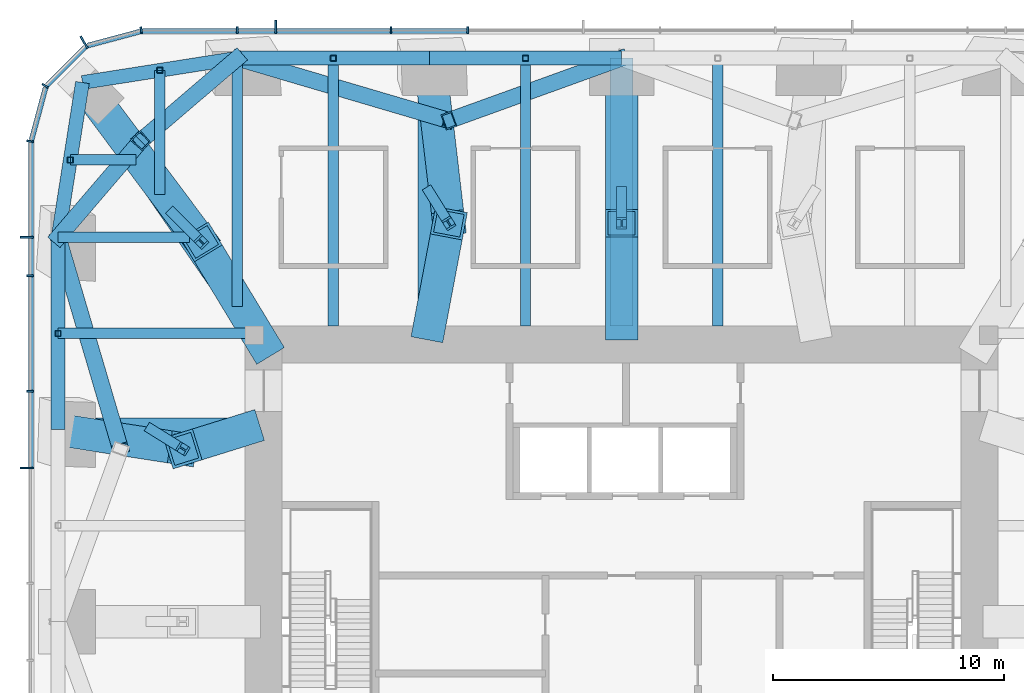
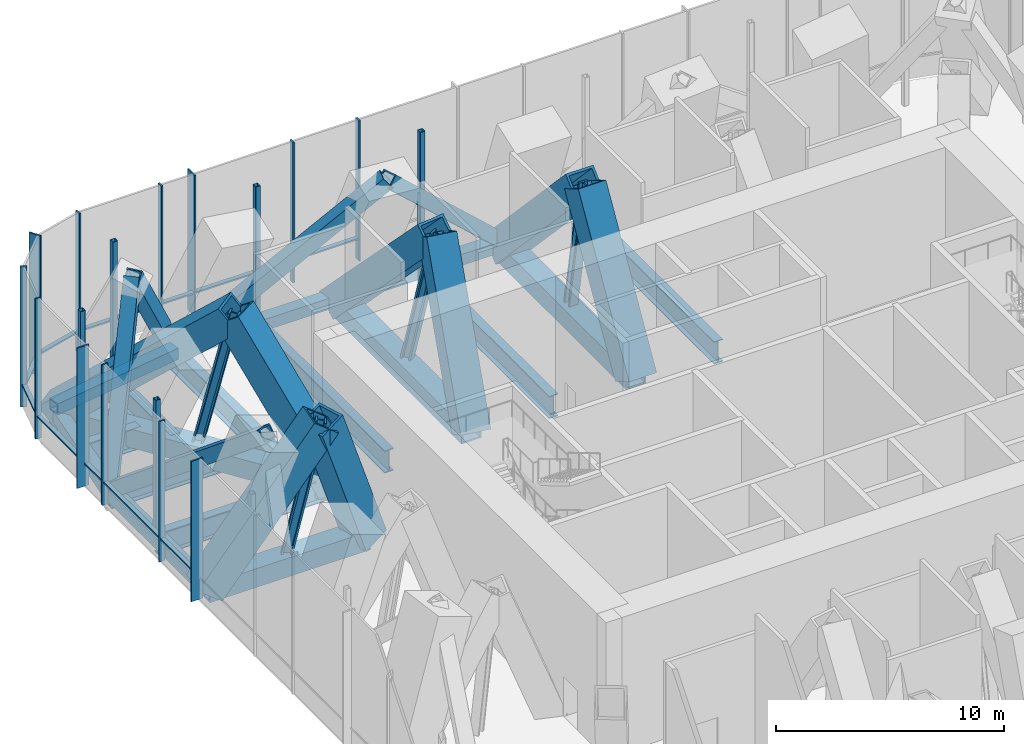
# One storey, part 7 of 16: 54 members, 8 beams, 3 elements without a shape of their own.
"""IFC4 building model written with IfcOpenShell, lengths in metres."""

from ifc_helpers import new_model, si_unit, direction, frame, origin, origin_2d, place, context, subcontext, project, spatial, rectangle, hollow_rectangle, i_section, extrude, material, material_profile, profile_set, type_object, element, aggregate, save


model = new_model("IFC4")

# Units and contexts
model_context = context("Model", 3, precision=1e-05, world=origin(), true_north=direction((0.0, 1.0)))
body_context = subcontext(model_context, "Body", "Model", "MODEL_VIEW")
ifc_project = project(units=[si_unit("LENGTHUNIT", "METRE"), si_unit("AREAUNIT", "SQUARE_METRE"), si_unit("VOLUMEUNIT", "CUBIC_METRE"), si_unit("PLANEANGLEUNIT", "RADIAN"), si_unit("MASSUNIT", "GRAM", prefix="KILO")], contexts=[model_context])

# Site, building, storey
site_placement = place(None, origin())
site = spatial("IfcSite", under=ifc_project, at=site_placement, CompositionType="ELEMENT")
building_placement = place(site_placement, origin())
building = spatial("IfcBuilding", under=site, at=building_placement, Name="Khuree Lantern Residences", CompositionType="ELEMENT")
storey_placement = place(building_placement, frame((0.0, 0.0, 278.25)))
storey = spatial("IfcBuildingStorey", under=building, at=storey_placement, Name="L70", CompositionType="ELEMENT", Elevation=278.25)

# Beams
ifc_material_1 = material(Name="Steel S355", Category="steel")
ifc_material_profile_1 = material_profile(ifc_material_1, i_section(OverallWidth=0.449951171875, OverallDepth=1.199951171875, WebThickness=0.02490234375, FlangeThickness=0.044921875, at=origin_2d()), Name="WELDED I 1200X450X25X45")
ifc_profile_set_1 = profile_set([ifc_material_profile_1], Name="Steel S355")
beam_type_1 = type_object("IfcBeamType", Name="B-70 SECONDARY BEAM WELDED I 1200X450X25X45", PredefinedType="BEAM", material=ifc_profile_set_1)
for number, where, z_axis, x_axis, name in (
    (1, (-12.47998046875, 24.39990234375, -0.949951171875), (0.0, -1.0, 0.0), (1.0, 0.0, 0.0), "Secondary beam N1"),
    (2, (-4.159912109375, 24.39990234375, -0.949951171875), (0.0, -1.0, 0.0), (1.0, 0.0, 0.0), "Secondary beam N2"),
    (3, (4.159912109375, 24.39990234375, -0.949951171875), (0.0, -1.0, 0.0), (1.0, 0.0, 0.0), "Secondary beam N3"),
):
    element("IfcBeam", number, at=place(storey_placement, frame(where, z_axis=z_axis, x_axis=x_axis)), inside=storey, type_object=beam_type_1, Name=name, PredefinedType="BEAM", context=body_context, shape_type="SweptSolid", body=[
        extrude(i_section(OverallWidth=0.449951171875, OverallDepth=1.199951171875, WebThickness=0.02490234375, FlangeThickness=0.044921875, at=origin_2d()), origin(), (0.0, 0.0, 1.0), 11.599853515625),
    ])
beam_1_placement = place(storey_placement, frame((-24.39990234375, 12.47998046875, -0.949951171875), z_axis=(1.0, 0.0, 0.0), x_axis=(0.0, 1.0, 0.0)))
element("IfcBeam", 4, at=beam_1_placement, inside=storey, type_object=beam_type_1, Name="Secondary beam W5", PredefinedType="BEAM", context=body_context, shape_type="SweptSolid", body=[
    extrude(i_section(OverallWidth=0.449951171875, OverallDepth=1.199951171875, WebThickness=0.02490234375, FlangeThickness=0.044921875, at=origin_2d()), origin(), (0.0, 0.0, 1.0), 8.56787109375),
])
beam_2_placement = place(storey_placement, frame((-23.872802734375, 19.992919921875, -0.949951171875), z_axis=(1.0, 0.0, 0.0), x_axis=(0.0, 1.0, 0.0)))
element("IfcBeam", 5, at=beam_2_placement, inside=storey, type_object=beam_type_1, Name="Secondary beam W6", PredefinedType="BEAM", context=body_context, shape_type="SweptSolid", body=[
    extrude(i_section(OverallWidth=0.449951171875, OverallDepth=1.199951171875, WebThickness=0.02490234375, FlangeThickness=0.044921875, at=origin_2d()), origin(), (0.0, 0.0, 1.0), 2.845703125),
])
beam_3_placement = place(storey_placement, frame((-19.992919921875, 23.872802734375, -0.949951171875), z_axis=(0.0, -1.0, 0.0), x_axis=(1.0, 0.0, 0.0)))
element("IfcBeam", 6, at=beam_3_placement, inside=storey, type_object=beam_type_1, Name="Secondary beam N6", PredefinedType="BEAM", context=body_context, shape_type="SweptSolid", body=[
    extrude(i_section(OverallWidth=0.449951171875, OverallDepth=1.199951171875, WebThickness=0.02490234375, FlangeThickness=0.044921875, at=origin_2d()), origin(), (0.0, 0.0, 1.0), 5.375732421875),
])

# Members
ifc_material_profile_2 = material_profile(ifc_material_1, hollow_rectangle(XDim=0.699951171875, YDim=0.699951171875, WallThickness=0.06005859375, at=origin_2d()), Name="WELDED BOX 700X700X60")
ifc_profile_set_2 = profile_set([ifc_material_profile_2], Name="Steel S355")
member_type_1 = type_object("IfcMemberType", Name="BD-70 BELT TRUSS DIAGONAL WELDED BOX 700X700X60", PredefinedType="BRACE", material=ifc_profile_set_2)
member_1_placement = place(storey_placement, frame((-16.639892578125, 24.39990234375, -0.64990234375), z_axis=(0.750531400006, -0.22122462626, 0.622705614509), x_axis=(0.282731000098, 0.959199239774, 0.0)))
element("IfcMember", 7, at=member_1_placement, inside=storey, type_object=member_type_1, Name="Belt truss diagonal N1", PredefinedType="BRACE", context=body_context, shape_type="SweptSolid", body=[
    extrude(hollow_rectangle(XDim=0.699951171875, YDim=0.699951171875, WallThickness=0.06005859375, at=origin_2d()), origin(), (0.0, 0.0, 1.0), 12.20458984375),
])
member_2_placement = place(storey_placement, frame((-7.47998046875, 21.699951171875, 6.949951171875), z_axis=(0.680004918854, 0.245452522932, -0.690902575853), x_axis=(-0.339516210301, 0.940600203563, 0.0)))
element("IfcMember", 8, at=member_2_placement, inside=storey, type_object=member_type_1, Name="Belt truss diagonal N2", PredefinedType="BRACE", context=body_context, shape_type="SweptSolid", body=[
    extrude(hollow_rectangle(XDim=0.699951171875, YDim=0.699951171875, WallThickness=0.06005859375, at=origin_2d()), origin(), (0.0, 0.0, 1.0), 11.0),
])
member_3_placement = place(storey_placement, frame((-21.699951171875, 7.47998046875, 6.949951171875), z_axis=(-0.22122462626, 0.750531400006, -0.622705614509), x_axis=(-0.959199239774, -0.282731000098, 0.0)))
element("IfcMember", 9, at=member_3_placement, inside=storey, type_object=member_type_1, Name="Belt truss diagonal W5", PredefinedType="BRACE", context=body_context, shape_type="SweptSolid", body=[
    extrude(hollow_rectangle(XDim=0.699951171875, YDim=0.699951171875, WallThickness=0.06005859375, at=origin_2d()), origin(), (0.0, 0.0, 1.0), 12.20458984375),
])
for number, where, z_axis, x_axis, name in (
    (10, (-24.39990234375, 16.639892578125, -0.64990234375), (0.381376760099, 0.445616030169, 0.809924762254), (-0.759744864678, 0.650221301247, 0.0), "Belt truss diagonal W6"),
    (11, (-20.8212890625, 20.8212890625, 6.949951171875), (0.445616030169, 0.381376760099, -0.809924762254), (-0.650221301247, 0.759744864678, 0.0), "Belt truss diagonal N6"),
):
    element("IfcMember", number, at=place(storey_placement, frame(where, z_axis=z_axis, x_axis=x_axis)), inside=storey, type_object=member_type_1, Name=name, PredefinedType="BRACE", context=body_context, shape_type="SweptSolid", body=[
        extrude(hollow_rectangle(XDim=0.699951171875, YDim=0.699951171875, WallThickness=0.06005859375, at=origin_2d()), origin(), (0.0, 0.0, 1.0), 9.38330078125),
    ])
ifc_material_profile_3 = material_profile(ifc_material_1, hollow_rectangle(XDim=0.60009765625, YDim=0.60009765625, WallThickness=0.050048828125, at=origin_2d()), Name="WELDED BOX 600X600X50")
ifc_profile_set_3 = profile_set([ifc_material_profile_3], Name="Steel S355")
member_type_2 = type_object("IfcMemberType", Name="BT-70 BELT TRUSS CHORD WELDED BOX 600X600X50", PredefinedType="CHORD", material=ifc_profile_set_3)
member_4_placement = place(storey_placement, frame((-16.639892578125, 24.39990234375, -0.64990234375), z_axis=(1.0, 0.0, 0.0), x_axis=(0.0, 1.0, 0.0)))
element("IfcMember", 12, at=member_4_placement, inside=storey, type_object=member_type_2, Name="Belt truss chord N1", PredefinedType="CHORD", context=body_context, shape_type="SweptSolid", body=[
    extrude(hollow_rectangle(XDim=0.60009765625, YDim=0.60009765625, WallThickness=0.050048828125, at=origin_2d()), origin(), (0.0, 0.0, 1.0), 8.31982421875),
])
member_5_placement = place(storey_placement, frame((-8.320068359375, 24.39990234375, -0.64990234375), z_axis=(1.0, 0.0, 0.0), x_axis=(0.0, 1.0, 0.0)))
element("IfcMember", 13, at=member_5_placement, inside=storey, type_object=member_type_2, Name="Belt truss chord N2", PredefinedType="CHORD", context=body_context, shape_type="SweptSolid", body=[
    extrude(hollow_rectangle(XDim=0.60009765625, YDim=0.60009765625, WallThickness=0.050048828125, at=origin_2d()), origin(), (0.0, 0.0, 1.0), 8.320068359375),
])
member_6_placement = place(storey_placement, frame((-24.39990234375, 8.320068359375, -0.64990234375), z_axis=(0.0, 1.0, 0.0), x_axis=(-1.0, 0.0, 0.0)))
element("IfcMember", 14, at=member_6_placement, inside=storey, type_object=member_type_2, Name="Belt truss chord W5", PredefinedType="CHORD", context=body_context, shape_type="SweptSolid", body=[
    extrude(hollow_rectangle(XDim=0.60009765625, YDim=0.60009765625, WallThickness=0.050048828125, at=origin_2d()), origin(), (0.0, 0.0, 1.0), 8.31982421875),
])
for number, where, z_axis, x_axis, name in (
    (15, (-24.39990234375, 16.639892578125, -0.64990234375), (0.155299507442, 0.98786743189, 0.0), (-0.98786743189, 0.155299507442, 0.0), "Belt truss chord W6"),
    (16, (-23.345703125, 23.345703125, -0.64990234375), (0.98786743189, 0.155299507442, 0.0), (-0.155299507442, 0.98786743189, 0.0), "Belt truss chord N6"),
):
    element("IfcMember", number, at=place(storey_placement, frame(where, z_axis=z_axis, x_axis=x_axis)), inside=storey, type_object=member_type_2, Name=name, PredefinedType="CHORD", context=body_context, shape_type="SweptSolid", body=[
        extrude(hollow_rectangle(XDim=0.60009765625, YDim=0.60009765625, WallThickness=0.050048828125, at=origin_2d()), origin(), (0.0, 0.0, 1.0), 6.7880859375),
    ])

# Curtain wall, member
ifc_material_2 = material(Name="Bronze anodised aluminium", Category="aluminium")
curtain_wall_type = type_object("IfcCurtainWallType", Name="CW-G PLANT STOREY LOUVRED CURTAIN WALL", PredefinedType="USERDEFINED", material=ifc_material_2)
curtain_wall_1_placement = place(storey_placement, origin())
curtain_wall_1 = element("IfcCurtainWall", 17, at=curtain_wall_1_placement, inside=storey, type_object=curtain_wall_type, Name="L70 NORTH FACE CURTAIN WALL", ObjectType="Louvred curtain wall", PredefinedType="USERDEFINED")
ifc_material_profile_4 = material_profile(ifc_material_2, rectangle(XDim=0.080078125, YDim=0.60009765625, at=origin_2d()), Name="F2 80X600")
ifc_profile_set_4 = profile_set([ifc_material_profile_4], Name="Bronze anodised aluminium")
member_type_3 = type_object("IfcMemberType", Name="F2 BRONZE FIN MULLION PLANT 80X600", PredefinedType="MULLION", material=ifc_profile_set_4)
member_7_placement = place(storey_placement, frame((-14.97607421875, 25.75, 0.0), z_axis=(0.0, 0.0, 1.0), x_axis=(-1.0, 0.0, 0.0)))
member_7 = element("IfcMember", 18, at=member_7_placement, type_object=member_type_3, Name="L70 NORTH FACE FIN MULLION 27", PredefinedType="MULLION", context=body_context, shape_type="SweptSolid", body=[
    extrude(rectangle(XDim=0.080078125, YDim=0.60009765625, at=origin_2d()), origin(), (0.0, 0.0, 1.0), 7.5),
])

curtain_wall_2_placement = place(storey_placement, origin())
curtain_wall_2 = element("IfcCurtainWall", 19, at=curtain_wall_2_placement, inside=storey, type_object=curtain_wall_type, Name="L70 NORTH-WEST CORNER CURTAIN WALL", ObjectType="Louvred curtain wall", PredefinedType="USERDEFINED")
member_8_placement = place(storey_placement, frame((-23.27490234375, 25.0869140625, 0.0), z_axis=(0.0, 0.0, 1.0), x_axis=(-0.866025409797, -0.499999989586, 0.0)))
member_8 = element("IfcMember", 20, at=member_8_placement, type_object=member_type_3, Name="L70 NORTH-WEST CORNER FIN MULLION 30", PredefinedType="MULLION", context=body_context, shape_type="SweptSolid", body=[
    extrude(rectangle(XDim=0.080078125, YDim=0.60009765625, at=origin_2d()), origin(), (0.0, 0.0, 1.0), 7.5),
])

# Curtain wall, members
curtain_wall_3_placement = place(storey_placement, origin())
curtain_wall_3 = element("IfcCurtainWall", 21, at=curtain_wall_3_placement, inside=storey, type_object=curtain_wall_type, Name="L70 WEST FACE CURTAIN WALL", ObjectType="Louvred curtain wall", PredefinedType="USERDEFINED")
member_9_placement = place(storey_placement, frame((-25.75, 16.639892578125, 0.0), z_axis=(0.0, 0.0, 1.0), x_axis=(0.0, -1.0, 0.0)))
member_9 = element("IfcMember", 22, at=member_9_placement, type_object=member_type_3, Name="L70 WEST FACE FIN MULLION 33", PredefinedType="MULLION", context=body_context, shape_type="SweptSolid", body=[
    extrude(rectangle(XDim=0.080078125, YDim=0.60009765625, at=origin_2d()), origin(), (0.0, 0.0, 1.0), 7.5),
])
member_10_placement = place(storey_placement, frame((-25.75, 6.656005859375, 0.0), z_axis=(0.0, 0.0, 1.0), x_axis=(0.0, -1.0, 0.0)))
member_10 = element("IfcMember", 23, at=member_10_placement, type_object=member_type_3, Name="L70 WEST FACE FIN MULLION 36", PredefinedType="MULLION", context=body_context, shape_type="SweptSolid", body=[
    extrude(rectangle(XDim=0.080078125, YDim=0.60009765625, at=origin_2d()), origin(), (0.0, 0.0, 1.0), 7.5),
])

# Beams
ifc_material_profile_5 = material_profile(ifc_material_1, i_section(OverallWidth=0.449951171875, OverallDepth=1.199951171875, WebThickness=0.02490234375, FlangeThickness=0.044921875, at=origin_2d()), Name="WELDED I 1200X450X25X45")
ifc_profile_set_5 = profile_set([ifc_material_profile_5], Name="Steel S355")
beam_type_2 = type_object("IfcBeamType", Name="G-70 GIRDER WELDED I 1200X450X25X45", PredefinedType="BEAM", material=ifc_profile_set_5)
beam_4_placement = place(storey_placement, frame((-16.639892578125, 24.39990234375, -0.949951171875), z_axis=(0.0, -1.0, 0.0), x_axis=(1.0, 0.0, 0.0)))
element("IfcBeam", 24, at=beam_4_placement, inside=storey, type_object=beam_type_2, Name="Girder N1", PredefinedType="BEAM", context=body_context, shape_type="SweptSolid", body=[
    extrude(i_section(OverallWidth=0.449951171875, OverallDepth=1.199951171875, WebThickness=0.02490234375, FlangeThickness=0.044921875, at=origin_2d()), origin(), (0.0, 0.0, 1.0), 10.751220703125),
])
beam_5_placement = place(storey_placement, frame((-24.39990234375, 16.639892578125, -0.949951171875), z_axis=(1.0, 0.0, 0.0), x_axis=(0.0, 1.0, 0.0)))
element("IfcBeam", 25, at=beam_5_placement, inside=storey, type_object=beam_type_2, Name="Girder W5", PredefinedType="BEAM", context=body_context, shape_type="SweptSolid", body=[
    extrude(i_section(OverallWidth=0.449951171875, OverallDepth=1.199951171875, WebThickness=0.02490234375, FlangeThickness=0.044921875, at=origin_2d()), origin(), (0.0, 0.0, 1.0), 5.69140625),
])

# Member
ifc_material_profile_6 = material_profile(ifc_material_2, rectangle(XDim=0.080078125, YDim=0.300048828125, at=origin_2d()), Name="M2 80X300")
ifc_profile_set_6 = profile_set([ifc_material_profile_6], Name="Bronze anodised aluminium")
member_type_4 = type_object("IfcMemberType", Name="MULLION M2 PLANT 80X300", PredefinedType="MULLION", material=ifc_profile_set_6)
member_11_placement = place(storey_placement, frame((-6.656005859375, 25.60009765625, 0.0), z_axis=(0.0, 0.0, 1.0), x_axis=(-1.0, 0.0, 0.0)))
member_11 = element("IfcMember", 26, at=member_11_placement, type_object=member_type_4, Name="L70 NORTH FACE MULLION 25", PredefinedType="MULLION", context=body_context, shape_type="SweptSolid", body=[
    extrude(rectangle(XDim=0.080078125, YDim=0.300048828125, at=origin_2d()), origin(), (0.0, 0.0, 1.0), 7.5),
])

member_12_placement = place(storey_placement, frame((-9.98388671875, 25.60009765625, 0.0), z_axis=(0.0, 0.0, 1.0), x_axis=(-1.0, 0.0, 0.0)))
member_12 = element("IfcMember", 27, at=member_12_placement, type_object=member_type_4, Name="L70 NORTH FACE MULLION 26", PredefinedType="MULLION", context=body_context, shape_type="SweptSolid", body=[
    extrude(rectangle(XDim=0.080078125, YDim=0.300048828125, at=origin_2d()), origin(), (0.0, 0.0, 1.0), 7.5),
])

member_13_placement = place(storey_placement, frame((-16.639892578125, 25.60009765625, 0.0), z_axis=(0.0, 0.0, 1.0), x_axis=(-1.0, 0.0, 0.0)))
member_13 = element("IfcMember", 28, at=member_13_placement, type_object=member_type_4, Name="L70 NORTH FACE MULLION 28", PredefinedType="MULLION", context=body_context, shape_type="SweptSolid", body=[
    extrude(rectangle(XDim=0.080078125, YDim=0.300048828125, at=origin_2d()), origin(), (0.0, 0.0, 1.0), 7.5),
])

member_14_placement = place(storey_placement, frame((-20.80029296875, 25.601318359375, 0.0), z_axis=(0.0, 0.0, 1.0), x_axis=(-0.991444862943, -0.130526180298, 0.0)))
member_14 = element("IfcMember", 29, at=member_14_placement, type_object=member_type_4, Name="L70 NORTH-WEST CORNER MULLION 29", PredefinedType="MULLION", context=body_context, shape_type="SweptSolid", body=[
    extrude(rectangle(XDim=0.080078125, YDim=0.300048828125, at=origin_2d()), origin(), (0.0, 0.0, 1.0), 7.5),
])

member_15_placement = place(storey_placement, frame((-24.95703125, 23.199951171875, 0.0), z_axis=(0.0, 0.0, 1.0), x_axis=(-0.499999989586, -0.866025409797, 0.0)))
member_15 = element("IfcMember", 30, at=member_15_placement, type_object=member_type_4, Name="L70 NORTH-WEST CORNER MULLION 31", PredefinedType="MULLION", context=body_context, shape_type="SweptSolid", body=[
    extrude(rectangle(XDim=0.080078125, YDim=0.300048828125, at=origin_2d()), origin(), (0.0, 0.0, 1.0), 7.5),
])

member_16_placement = place(storey_placement, frame((-25.601318359375, 20.80029296875, 0.0), z_axis=(0.0, 0.0, 1.0), x_axis=(-0.130526180298, -0.991444862943, 0.0)))
member_16 = element("IfcMember", 31, at=member_16_placement, type_object=member_type_4, Name="L70 WEST FACE MULLION 32", PredefinedType="MULLION", context=body_context, shape_type="SweptSolid", body=[
    extrude(rectangle(XDim=0.080078125, YDim=0.300048828125, at=origin_2d()), origin(), (0.0, 0.0, 1.0), 7.5),
])

member_17_placement = place(storey_placement, frame((-25.60009765625, 14.97607421875, 0.0), z_axis=(0.0, 0.0, 1.0), x_axis=(0.0, -1.0, 0.0)))
member_17 = element("IfcMember", 32, at=member_17_placement, type_object=member_type_4, Name="L70 WEST FACE MULLION 34", PredefinedType="MULLION", context=body_context, shape_type="SweptSolid", body=[
    extrude(rectangle(XDim=0.080078125, YDim=0.300048828125, at=origin_2d()), origin(), (0.0, 0.0, 1.0), 7.5),
])

member_18_placement = place(storey_placement, frame((-25.60009765625, 9.98388671875, 0.0), z_axis=(0.0, 0.0, 1.0), x_axis=(0.0, -1.0, 0.0)))
member_18 = element("IfcMember", 33, at=member_18_placement, type_object=member_type_4, Name="L70 WEST FACE MULLION 35", PredefinedType="MULLION", context=body_context, shape_type="SweptSolid", body=[
    extrude(rectangle(XDim=0.080078125, YDim=0.300048828125, at=origin_2d()), origin(), (0.0, 0.0, 1.0), 7.5),
])

# Members
ifc_material_profile_7 = material_profile(ifc_material_1, hollow_rectangle(XDim=1.39990234375, YDim=1.39990234375, WallThickness=0.1201171875, at=origin_2d()), Name="WELDED BOX 1400X1400X120")
ifc_profile_set_7 = profile_set([ifc_material_profile_7], Name="Steel S355")
member_type_5 = type_object("IfcMemberType", Name="OD-70 OUTRIGGER TRUSS DIAGONAL WELDED BOX 1400X1400X120", PredefinedType="BRACE", material=ifc_profile_set_7)
member_19_placement = place(storey_placement, frame((-15.5, 12.0, -0.85009765625), z_axis=(-0.292591683505, 0.482667556929, 0.825482971497), x_axis=(-0.855146082059, -0.518387093146, 0.0)))
element("IfcMember", 34, at=member_19_placement, inside=storey, type_object=member_type_5, Name="Outrigger diagonal NW core side", PredefinedType="BRACE", context=body_context, shape_type="SweptSolid", body=[
    extrude(hollow_rectangle(XDim=1.39990234375, YDim=1.39990234375, WallThickness=0.1201171875, at=origin_2d()), origin(), (0.0, 0.0, 1.0), 9.206787109375),
])
member_20_placement = place(storey_placement, frame((-18.19384765625, 16.44384765625, 6.75), z_axis=(-0.448515604261, 0.600868928654, -0.661657224938), x_axis=(-0.801365374219, -0.598175172507, 0.0)))
element("IfcMember", 35, at=member_20_placement, inside=storey, type_object=member_type_5, Name="Outrigger diagonal NW column side", PredefinedType="BRACE", context=body_context, shape_type="SweptSolid", body=[
    extrude(hollow_rectangle(XDim=1.39990234375, YDim=1.39990234375, WallThickness=0.1201171875, at=origin_2d()), origin(), (0.0, 0.0, 1.0), 11.486572265625),
])
member_21_placement = place(storey_placement, frame((-8.320068359375, 12.800048828125, -0.85009765625), z_axis=(0.09495744197, 0.502990204822, 0.859059915296), x_axis=(-0.982642559949, 0.185509027749, 0.0)))
element("IfcMember", 36, at=member_21_placement, inside=storey, type_object=member_type_5, Name="Outrigger diagonal N2 core side", PredefinedType="BRACE", context=body_context, shape_type="SweptSolid", body=[
    extrude(hollow_rectangle(XDim=1.39990234375, YDim=1.39990234375, WallThickness=0.1201171875, at=origin_2d()), origin(), (0.0, 0.0, 1.0), 8.846923828125),
])
member_22_placement = place(storey_placement, frame((-7.47998046875, 17.25, 6.75), z_axis=(-0.080249541393, 0.682995660919, -0.726000646193), x_axis=(-0.99316795482, -0.116693673856, 0.0)))
element("IfcMember", 37, at=member_22_placement, inside=storey, type_object=member_type_5, Name="Outrigger diagonal N2 column side", PredefinedType="BRACE", context=body_context, shape_type="SweptSolid", body=[
    extrude(hollow_rectangle(XDim=1.39990234375, YDim=1.39990234375, WallThickness=0.1201171875, at=origin_2d()), origin(), (0.0, 0.0, 1.0), 10.468505859375),
])
member_23_placement = place(storey_placement, frame((0.0, 12.800048828125, -0.85009765625), z_axis=(0.0, 0.505273366946, 0.862959341253), x_axis=(-1.0, 0.0, 0.0)))
element("IfcMember", 38, at=member_23_placement, inside=storey, type_object=member_type_5, Name="Outrigger diagonal N3 core side", PredefinedType="BRACE", context=body_context, shape_type="SweptSolid", body=[
    extrude(hollow_rectangle(XDim=1.39990234375, YDim=1.39990234375, WallThickness=0.1201171875, at=origin_2d()), origin(), (0.0, 0.0, 1.0), 8.80712890625),
])
member_24_placement = place(storey_placement, frame((0.0, 17.25, 6.75), z_axis=(0.0, 0.685205582805, -0.72834971634), x_axis=(-1.0, 0.0, 0.0)))
element("IfcMember", 39, at=member_24_placement, inside=storey, type_object=member_type_5, Name="Outrigger diagonal N3 column side", PredefinedType="BRACE", context=body_context, shape_type="SweptSolid", body=[
    extrude(hollow_rectangle(XDim=1.39990234375, YDim=1.39990234375, WallThickness=0.1201171875, at=origin_2d()), origin(), (0.0, 0.0, 1.0), 10.4345703125),
])
member_25_placement = place(storey_placement, frame((-16.300048828125, 8.320068359375, -0.85009765625), z_axis=(-0.332954599598, -0.103598587324, 0.937234531647), x_axis=(0.297099790483, -0.954846435033, 0.0)))
element("IfcMember", 40, at=member_25_placement, inside=storey, type_object=member_type_5, Name="Outrigger diagonal W4 core side", PredefinedType="BRACE", context=body_context, shape_type="SweptSolid", body=[
    extrude(hollow_rectangle(XDim=1.39990234375, YDim=1.39990234375, WallThickness=0.1201171875, at=origin_2d()), origin(), (0.0, 0.0, 1.0), 8.109130859375),
])
member_26_placement = place(storey_placement, frame((-19.0, 7.47998046875, 6.75), z_axis=(-0.576858069991, 0.089744489504, -0.8118994357), x_axis=(-0.153725423234, -0.98811360392, 0.0)))
element("IfcMember", 41, at=member_26_placement, inside=storey, type_object=member_type_5, Name="Outrigger diagonal W4 column side", PredefinedType="BRACE", context=body_context, shape_type="SweptSolid", body=[
    extrude(hollow_rectangle(XDim=1.39990234375, YDim=1.39990234375, WallThickness=0.1201171875, at=origin_2d()), origin(), (0.0, 0.0, 1.0), 9.36083984375),
])
ifc_material_profile_8 = material_profile(ifc_material_1, i_section(OverallWidth=0.431884765625, OverallDepth=0.498046875, WebThickness=0.0556640625, FlangeThickness=0.0888671875, FilletRadius=0.014892578125, at=origin_2d()), Name="HD 400X744")
ifc_profile_set_8 = profile_set([ifc_material_profile_8], Name="Steel S355")
member_type_6 = type_object("IfcMemberType", Name="OP-70 OUTRIGGER TRUSS POST HD 400X744", PredefinedType="POST", material=ifc_profile_set_8)
member_27_placement = place(storey_placement, frame((-19.4228515625, 17.6728515625, -0.85009765625), z_axis=(0.157639261852, -0.157639261852, 0.974833178675), x_axis=(0.707106781187, 0.707106781187, 0.0)))
element("IfcMember", 42, at=member_27_placement, inside=storey, type_object=member_type_6, Name="Outrigger post NW", PredefinedType="POST", context=body_context, shape_type="SweptSolid", body=[
    extrude(i_section(OverallWidth=0.431884765625, OverallDepth=0.498046875, WebThickness=0.0556640625, FlangeThickness=0.0888671875, FilletRadius=0.014892578125, at=origin_2d()), origin(), (0.0, 0.0, 1.0), 7.79638671875),
])
member_28_placement = place(storey_placement, frame((-8.320068359375, 18.60009765625, -0.85009765625), z_axis=(0.108193731161, -0.173877167487, 0.9788058271), x_axis=(0.849048951527, 0.528314184847, 0.0)))
element("IfcMember", 43, at=member_28_placement, inside=storey, type_object=member_type_6, Name="Outrigger post N2", PredefinedType="POST", context=body_context, shape_type="SweptSolid", body=[
    extrude(i_section(OverallWidth=0.431884765625, OverallDepth=0.498046875, WebThickness=0.0556640625, FlangeThickness=0.0888671875, FilletRadius=0.014892578125, at=origin_2d()), origin(), (0.0, 0.0, 1.0), 7.7646484375),
])
member_29_placement = place(storey_placement, frame((0.0, 18.60009765625, -0.85009765625), z_axis=(0.0, -0.174903883222, 0.984585512606), x_axis=(1.0, 0.0, 0.0)))
element("IfcMember", 44, at=member_29_placement, inside=storey, type_object=member_type_6, Name="Outrigger post N3", PredefinedType="POST", context=body_context, shape_type="SweptSolid", body=[
    extrude(i_section(OverallWidth=0.431884765625, OverallDepth=0.498046875, WebThickness=0.0556640625, FlangeThickness=0.0888671875, FilletRadius=0.014892578125, at=origin_2d()), origin(), (0.0, 0.0, 1.0), 7.718994140625),
])
member_30_placement = place(storey_placement, frame((-20.35009765625, 8.320068359375, -0.85009765625), z_axis=(0.173877167487, -0.108193731161, 0.9788058271), x_axis=(0.528314184847, 0.849048951527, 0.0)))
element("IfcMember", 45, at=member_30_placement, inside=storey, type_object=member_type_6, Name="Outrigger post W4", PredefinedType="POST", context=body_context, shape_type="SweptSolid", body=[
    extrude(i_section(OverallWidth=0.431884765625, OverallDepth=0.498046875, WebThickness=0.0556640625, FlangeThickness=0.0888671875, FilletRadius=0.014892578125, at=origin_2d()), origin(), (0.0, 0.0, 1.0), 7.7646484375),
])
ifc_material_profile_9 = material_profile(ifc_material_1, hollow_rectangle(XDim=1.0, YDim=1.0, WallThickness=0.080078125, at=origin_2d()), Name="WELDED BOX 1000X1000X80")
ifc_profile_set_9 = profile_set([ifc_material_profile_9], Name="Steel S355")
member_type_7 = type_object("IfcMemberType", Name="OT-70 OUTRIGGER TRUSS CHORD WELDED BOX 1000X1000X80", PredefinedType="CHORD", material=ifc_profile_set_9)
for number, where, z_axis, x_axis, name in (
    (46, (-8.320068359375, 24.39990234375, -0.85009765625), (0.0, -1.0, 0.0), (1.0, 0.0, 0.0), "Outrigger chord N2"),
    (47, (0.0, 24.39990234375, -0.85009765625), (0.0, -1.0, 0.0), (1.0, 0.0, 0.0), "Outrigger chord N3"),
):
    element("IfcMember", number, at=place(storey_placement, frame(where, z_axis=z_axis, x_axis=x_axis)), inside=storey, type_object=member_type_7, Name=name, PredefinedType="CHORD", context=body_context, shape_type="SweptSolid", body=[
        extrude(hollow_rectangle(XDim=1.0, YDim=1.0, WallThickness=0.080078125, at=origin_2d()), origin(), (0.0, 0.0, 1.0), 11.599853515625),
    ])
member_31_placement = place(storey_placement, frame((-24.39990234375, 8.320068359375, -0.85009765625), z_axis=(1.0, 0.0, 0.0), x_axis=(0.0, 1.0, 0.0)))
element("IfcMember", 48, at=member_31_placement, inside=storey, type_object=member_type_7, Name="Outrigger chord W4", PredefinedType="CHORD", context=body_context, shape_type="SweptSolid", body=[
    extrude(hollow_rectangle(XDim=1.0, YDim=1.0, WallThickness=0.080078125, at=origin_2d()), origin(), (0.0, 0.0, 1.0), 8.099853515625),
])
member_32_placement = place(storey_placement, frame((-23.345703125, 23.345703125, -0.85009765625), z_axis=(0.56876813501, -0.822497907959, 0.0), x_axis=(0.822497907959, 0.56876813501, 0.0)))
element("IfcMember", 49, at=member_32_placement, inside=storey, type_object=member_type_7, Name="Outrigger chord NW", PredefinedType="CHORD", context=body_context, shape_type="SweptSolid", body=[
    extrude(hollow_rectangle(XDim=1.0, YDim=1.0, WallThickness=0.080078125, at=origin_2d()), origin(), (0.0, 0.0, 1.0), 13.794189453125),
])
ifc_material_profile_10 = material_profile(ifc_material_1, hollow_rectangle(XDim=0.25, YDim=0.25, WallThickness=0.012451171875, InnerFilletRadius=0.012451171875, OuterFilletRadius=0.018798828125, at=origin_2d()), Name="SHS 250X250X12.5")
ifc_profile_set_10 = profile_set([ifc_material_profile_10], Name="Steel S355")
member_type_8 = type_object("IfcMemberType", Name="TP1 TERRACE POST SHS 250X250X12.5", PredefinedType="POST", material=ifc_profile_set_10)
for number, where, z_axis, x_axis, name in (
    (50, (-12.47998046875, 24.39990234375, -0.35009765625), (0.0, 0.0, 1.0), (1.0, 0.0, 0.0), "Terrace post N1"),
    (51, (-4.159912109375, 24.39990234375, -0.35009765625), (0.0, 0.0, 1.0), (1.0, 0.0, 0.0), "Terrace post N2"),
    (52, (-24.39990234375, 12.47998046875, -0.35009765625), (0.0, 0.0, 1.0), (1.0, 0.0, 0.0), "Terrace post W5"),
    (53, (-23.872802734375, 19.992919921875, -0.35009765625), (0.0, 0.0, 1.0), (1.0, 0.0, 0.0), "Terrace post W6"),
    (54, (-19.992919921875, 23.872802734375, -0.35009765625), (0.0, 0.0, 1.0), (1.0, 0.0, 0.0), "Terrace post N6"),
):
    element("IfcMember", number, at=place(storey_placement, frame(where, z_axis=z_axis, x_axis=x_axis)), inside=storey, type_object=member_type_8, Name=name, PredefinedType="POST", context=body_context, shape_type="SweptSolid", body=[
        extrude(hollow_rectangle(XDim=0.25, YDim=0.25, WallThickness=0.012451171875, InnerFilletRadius=0.012451171875, OuterFilletRadius=0.018798828125, at=origin_2d()), origin(), (0.0, 0.0, 1.0), 7.10009765625),
    ])

# Member
ifc_material_profile_11 = material_profile(ifc_material_2, rectangle(XDim=0.219970703125, YDim=0.080078125, at=origin_2d()), Name="T2 220X80")
ifc_profile_set_11 = profile_set([ifc_material_profile_11], Name="Bronze anodised aluminium")
member_type_9 = type_object("IfcMemberType", Name="TRANSOM T2 PLANT 220X80", PredefinedType="USERDEFINED", material=ifc_profile_set_11)
member_33_placement = place(storey_placement, frame((-6.696044921875, 25.570068359375, 1.199951171875), z_axis=(-1.0, 0.0, 0.0), x_axis=(0.0, -1.0, 0.0)))
member_33 = element("IfcMember", 55, at=member_33_placement, type_object=member_type_9, Name="L70 NORTH FACE TRANSOM 25.1", ObjectType="Transom", PredefinedType="USERDEFINED", context=body_context, shape_type="SweptSolid", body=[
    extrude(rectangle(XDim=0.219970703125, YDim=0.080078125, at=origin_2d()), origin(), (0.0, 0.0, 1.0), 3.248046875),
])

member_34_placement = place(storey_placement, frame((-10.02392578125, 25.570068359375, 1.199951171875), z_axis=(-1.0, 0.0, 0.0), x_axis=(0.0, -1.0, 0.0)))
member_34 = element("IfcMember", 56, at=member_34_placement, type_object=member_type_9, Name="L70 NORTH FACE TRANSOM 26.1", ObjectType="Transom", PredefinedType="USERDEFINED", context=body_context, shape_type="SweptSolid", body=[
    extrude(rectangle(XDim=0.219970703125, YDim=0.080078125, at=origin_2d()), origin(), (0.0, 0.0, 1.0), 4.912109375),
])

member_35_placement = place(storey_placement, frame((-15.01611328125, 25.570068359375, 1.199951171875), z_axis=(-1.0, 0.0, 0.0), x_axis=(0.0, -1.0, 0.0)))
member_35 = element("IfcMember", 57, at=member_35_placement, type_object=member_type_9, Name="L70 NORTH FACE TRANSOM 27.1", ObjectType="Transom", PredefinedType="USERDEFINED", context=body_context, shape_type="SweptSolid", body=[
    extrude(rectangle(XDim=0.219970703125, YDim=0.080078125, at=origin_2d()), origin(), (0.0, 0.0, 1.0), 1.583984375),
])

member_36_placement = place(storey_placement, frame((-16.679931640625, 25.570068359375, 1.199951171875), z_axis=(-1.0, 0.0, 0.0), x_axis=(0.0, -1.0, 0.0)))
member_36 = element("IfcMember", 58, at=member_36_placement, type_object=member_type_9, Name="L70 NORTH FACE TRANSOM 28.1", ObjectType="Transom", PredefinedType="USERDEFINED", context=body_context, shape_type="SweptSolid", body=[
    extrude(rectangle(XDim=0.219970703125, YDim=0.080078125, at=origin_2d()), origin(), (0.0, 0.0, 1.0), 4.061279296875),
])

aggregate(curtain_wall_1, [member_11, member_12, member_7, member_13, member_33, member_34, member_35, member_36])

member_37_placement = place(storey_placement, frame((-20.84912109375, 25.555908203125, 1.199951171875), z_axis=(-0.965913244335, -0.258865997029, 0.0), x_axis=(0.258865997029, -0.965913244335, 0.0)))
member_37 = element("IfcMember", 59, at=member_37_placement, type_object=member_type_9, Name="L70 NORTH-WEST CORNER TRANSOM 29.1", ObjectType="Transom", PredefinedType="USERDEFINED", context=body_context, shape_type="SweptSolid", body=[
    extrude(rectangle(XDim=0.219970703125, YDim=0.080078125, at=origin_2d()), origin(), (0.0, 0.0, 1.0), 2.348388671875),
])

member_38_placement = place(storey_placement, frame((-23.233642578125, 24.880859375, 1.199951171875), z_axis=(-0.707106781187, -0.707106781187, 0.0), x_axis=(0.707106781187, -0.707106781187, 0.0)))
member_38 = element("IfcMember", 60, at=member_38_placement, type_object=member_type_9, Name="L70 NORTH-WEST CORNER TRANSOM 30.1", ObjectType="Transom", PredefinedType="USERDEFINED", context=body_context, shape_type="SweptSolid", body=[
    extrude(rectangle(XDim=0.219970703125, YDim=0.080078125, at=origin_2d()), origin(), (0.0, 0.0, 1.0), 2.32958984375),
])

member_39_placement = place(storey_placement, frame((-24.947998046875, 23.117431640625, 1.199951171875), z_axis=(-0.258865997029, -0.965913244335, 0.0), x_axis=(0.965913244335, -0.258865997029, 0.0)))
member_39 = element("IfcMember", 61, at=member_39_placement, type_object=member_type_9, Name="L70 NORTH-WEST CORNER TRANSOM 31.1", ObjectType="Transom", PredefinedType="USERDEFINED", context=body_context, shape_type="SweptSolid", body=[
    extrude(rectangle(XDim=0.219970703125, YDim=0.080078125, at=origin_2d()), origin(), (0.0, 0.0, 1.0), 2.348388671875),
])

aggregate(curtain_wall_2, [member_14, member_8, member_15, member_37, member_38, member_39])

member_40_placement = place(storey_placement, frame((-25.570068359375, 20.7412109375, 1.199951171875), z_axis=(0.0, -1.0, 0.0), x_axis=(1.0, 0.0, 0.0)))
member_40 = element("IfcMember", 62, at=member_40_placement, type_object=member_type_9, Name="L70 WEST FACE TRANSOM 32.1", ObjectType="Transom", PredefinedType="USERDEFINED", context=body_context, shape_type="SweptSolid", body=[
    extrude(rectangle(XDim=0.219970703125, YDim=0.080078125, at=origin_2d()), origin(), (0.0, 0.0, 1.0), 4.061279296875),
])

member_41_placement = place(storey_placement, frame((-25.570068359375, 16.60009765625, 1.199951171875), z_axis=(0.0, -1.0, 0.0), x_axis=(1.0, 0.0, 0.0)))
member_41 = element("IfcMember", 63, at=member_41_placement, type_object=member_type_9, Name="L70 WEST FACE TRANSOM 33.1", ObjectType="Transom", PredefinedType="USERDEFINED", context=body_context, shape_type="SweptSolid", body=[
    extrude(rectangle(XDim=0.219970703125, YDim=0.080078125, at=origin_2d()), origin(), (0.0, 0.0, 1.0), 1.583984375),
])

member_42_placement = place(storey_placement, frame((-25.570068359375, 14.93603515625, 1.199951171875), z_axis=(0.0, -1.0, 0.0), x_axis=(1.0, 0.0, 0.0)))
member_42 = element("IfcMember", 64, at=member_42_placement, type_object=member_type_9, Name="L70 WEST FACE TRANSOM 34.1", ObjectType="Transom", PredefinedType="USERDEFINED", context=body_context, shape_type="SweptSolid", body=[
    extrude(rectangle(XDim=0.219970703125, YDim=0.080078125, at=origin_2d()), origin(), (0.0, 0.0, 1.0), 4.912109375),
])

member_43_placement = place(storey_placement, frame((-25.570068359375, 9.944091796875, 1.199951171875), z_axis=(0.0, -1.0, 0.0), x_axis=(1.0, 0.0, 0.0)))
member_43 = element("IfcMember", 65, at=member_43_placement, type_object=member_type_9, Name="L70 WEST FACE TRANSOM 35.1", ObjectType="Transom", PredefinedType="USERDEFINED", context=body_context, shape_type="SweptSolid", body=[
    extrude(rectangle(XDim=0.219970703125, YDim=0.080078125, at=origin_2d()), origin(), (0.0, 0.0, 1.0), 3.248046875),
])

aggregate(curtain_wall_3, [member_16, member_9, member_17, member_18, member_10, member_40, member_41, member_42, member_43])

save(model, "model.ifc")
